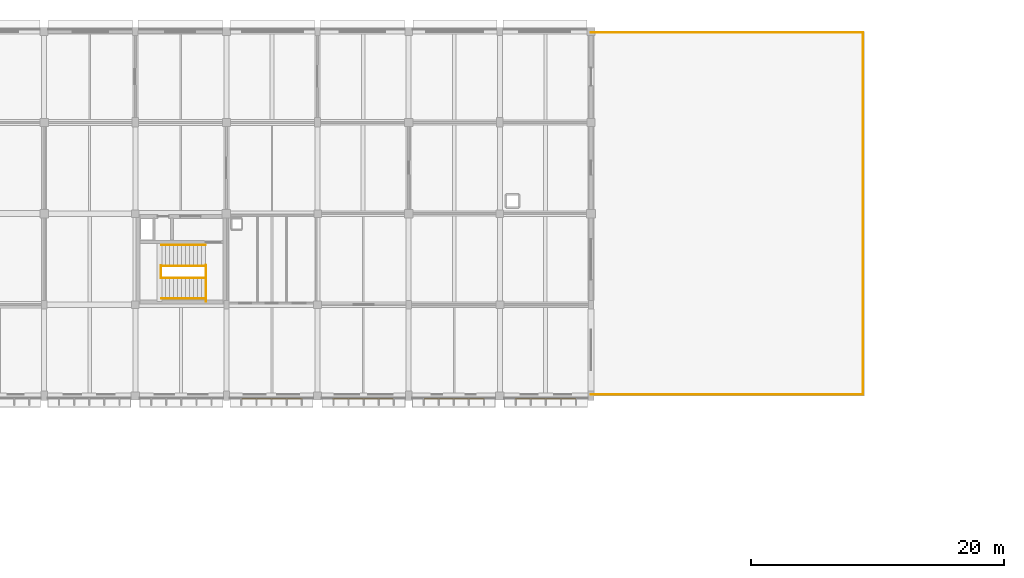
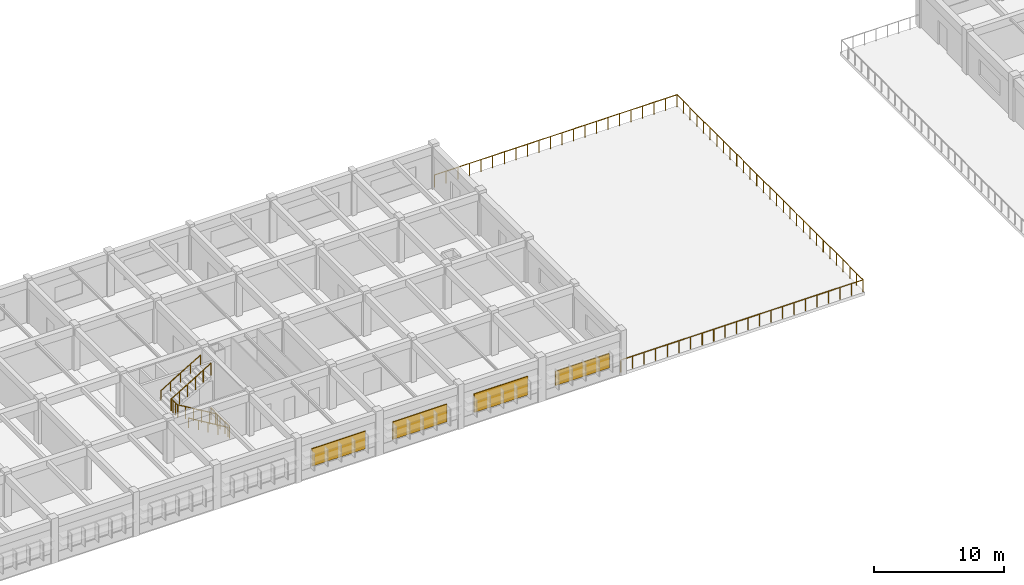
# One storey, part 37 of 38: 16 railings, 4 shading devices.
"""IFC4 building model written with IfcOpenShell, lengths in metres."""

from ifc_helpers import new_model, si_unit, direction, frame, origin, origin_2d, place, context, subcontext, project, spatial, rectangle, circle, extrude, material, layer, layer_set, type_object, element, save


model = new_model("IFC4")

# Units and contexts
model_context = context("Model", 3, precision=1e-05, world=origin(), true_north=direction((0.0, 1.0)))
body_context = subcontext(model_context, "Body", "Model", "MODEL_VIEW")
ifc_project = project(units=[si_unit("LENGTHUNIT", "METRE"), si_unit("AREAUNIT", "SQUARE_METRE"), si_unit("VOLUMEUNIT", "CUBIC_METRE"), si_unit("PLANEANGLEUNIT", "RADIAN"), si_unit("MASSUNIT", "GRAM", prefix="KILO")], contexts=[model_context])

# Site, building, storey
site_placement = place(None, origin())
site = spatial("IfcSite", under=ifc_project, at=site_placement, CompositionType="ELEMENT")
building_placement = place(site_placement, origin())
building = spatial("IfcBuilding", under=site, at=building_placement, Name="Thalmaran Polytechnic", CompositionType="ELEMENT")
storey_placement = place(building_placement, frame((0.0, 0.0, 18.60009765625)))
storey = spatial("IfcBuildingStorey", under=building, at=storey_placement, Name="L04", CompositionType="ELEMENT", Elevation=18.60009765625)

# Railings
ifc_material_1 = material(Name="Stainless steel 316 and laminated glass", Category="steel")
railing_type_1 = type_object("IfcRailingType", Name="RL-BL01", PredefinedType="BALUSTRADE", material=ifc_material_1)
railing_1_placement = place(storey_placement, frame((93.610107421875, 122.300048828125, 0.0)))
element("IfcRailing", 1, at=railing_1_placement, inside=storey, type_object=railing_type_1, Name="Terrace Balustrade Guard L04-1-1", PredefinedType="BALUSTRADE", context=body_context, shape_type="SweptSolid", body=[
    extrude(circle(Radius=0.02392578125, at=origin_2d()), frame((0.0, 0.0, 1.1259765625), z_axis=(1.0, 0.0, 0.0), x_axis=(0.0, 1.0, 0.0)), (0.0, 0.0, 1.0), 7.22314453125),
    extrude(circle(Radius=0.02099609375, at=origin_2d()), origin(), (0.0, 0.0, 1.0), 1.101806640625),
    extrude(circle(Radius=0.02099609375, at=origin_2d()), frame((1.031982421875, 0.0, 0.0)), (0.0, 0.0, 1.0), 1.101806640625),
    extrude(circle(Radius=0.02099609375, at=origin_2d()), frame((2.063720703125, 0.0, 0.0)), (0.0, 0.0, 1.0), 1.101806640625),
    extrude(circle(Radius=0.02099609375, at=origin_2d()), frame((3.095703125, 0.0, 0.0)), (0.0, 0.0, 1.0), 1.101806640625),
    extrude(circle(Radius=0.02099609375, at=origin_2d()), frame((4.12744140625, 0.0, 0.0)), (0.0, 0.0, 1.0), 1.101806640625),
    extrude(circle(Radius=0.02099609375, at=origin_2d()), frame((5.159423828125, 0.0, 0.0)), (0.0, 0.0, 1.0), 1.101806640625),
    extrude(circle(Radius=0.02099609375, at=origin_2d()), frame((6.191162109375, 0.0, 0.0)), (0.0, 0.0, 1.0), 1.101806640625),
    extrude(circle(Radius=0.02099609375, at=origin_2d()), frame((7.22314453125, 0.0, 0.0)), (0.0, 0.0, 1.0), 1.101806640625),
])
railing_2_placement = place(storey_placement, frame((100.833251953125, 122.300048828125, 0.0)))
element("IfcRailing", 2, at=railing_2_placement, inside=storey, type_object=railing_type_1, Name="Terrace Balustrade Guard L04-1-2", PredefinedType="BALUSTRADE", context=body_context, shape_type="SweptSolid", body=[
    extrude(circle(Radius=0.02392578125, at=origin_2d()), frame((0.0, 0.0, 1.1259765625), z_axis=(1.0, 0.0, 0.0), x_axis=(0.0, 1.0, 0.0)), (0.0, 0.0, 1.0), 7.13330078125),
    extrude(circle(Radius=0.02099609375, at=origin_2d()), origin(), (0.0, 0.0, 1.0), 1.101806640625),
    extrude(circle(Radius=0.02099609375, at=origin_2d()), frame((1.01904296875, 0.0, 0.0)), (0.0, 0.0, 1.0), 1.101806640625),
    extrude(circle(Radius=0.02099609375, at=origin_2d()), frame((2.0380859375, 0.0, 0.0)), (0.0, 0.0, 1.0), 1.101806640625),
    extrude(circle(Radius=0.02099609375, at=origin_2d()), frame((3.05712890625, 0.0, 0.0)), (0.0, 0.0, 1.0), 1.101806640625),
    extrude(circle(Radius=0.02099609375, at=origin_2d()), frame((4.076171875, 0.0, 0.0)), (0.0, 0.0, 1.0), 1.101806640625),
    extrude(circle(Radius=0.02099609375, at=origin_2d()), frame((5.09521484375, 0.0, 0.0)), (0.0, 0.0, 1.0), 1.101806640625),
    extrude(circle(Radius=0.02099609375, at=origin_2d()), frame((6.1142578125, 0.0, 0.0)), (0.0, 0.0, 1.0), 1.101806640625),
    extrude(circle(Radius=0.02099609375, at=origin_2d()), frame((7.13330078125, 0.0, 0.0)), (0.0, 0.0, 1.0), 1.101806640625),
])
railing_3_placement = place(storey_placement, frame((107.966552734375, 122.300048828125, 0.0)))
element("IfcRailing", 3, at=railing_3_placement, inside=storey, type_object=railing_type_1, Name="Terrace Balustrade Guard L04-1-3", PredefinedType="BALUSTRADE", context=body_context, shape_type="SweptSolid", body=[
    extrude(circle(Radius=0.02392578125, at=origin_2d()), frame((0.0, 0.0, 1.1259765625), z_axis=(1.0, 0.0, 0.0), x_axis=(0.0, 1.0, 0.0)), (0.0, 0.0, 1.0), 7.133544921875),
    extrude(circle(Radius=0.02099609375, at=origin_2d()), origin(), (0.0, 0.0, 1.0), 1.101806640625),
    extrude(circle(Radius=0.02099609375, at=origin_2d()), frame((1.01904296875, 0.0, 0.0)), (0.0, 0.0, 1.0), 1.101806640625),
    extrude(circle(Radius=0.02099609375, at=origin_2d()), frame((2.0380859375, 0.0, 0.0)), (0.0, 0.0, 1.0), 1.101806640625),
    extrude(circle(Radius=0.02099609375, at=origin_2d()), frame((3.05712890625, 0.0, 0.0)), (0.0, 0.0, 1.0), 1.101806640625),
    extrude(circle(Radius=0.02099609375, at=origin_2d()), frame((4.076416015625, 0.0, 0.0)), (0.0, 0.0, 1.0), 1.101806640625),
    extrude(circle(Radius=0.02099609375, at=origin_2d()), frame((5.095458984375, 0.0, 0.0)), (0.0, 0.0, 1.0), 1.101806640625),
    extrude(circle(Radius=0.02099609375, at=origin_2d()), frame((6.114501953125, 0.0, 0.0)), (0.0, 0.0, 1.0), 1.101806640625),
    extrude(circle(Radius=0.02099609375, at=origin_2d()), frame((7.133544921875, 0.0, 0.0)), (0.0, 0.0, 1.0), 1.101806640625),
])
railing_4_placement = place(storey_placement, frame((115.10009765625, 122.300048828125, 0.0)))
element("IfcRailing", 4, at=railing_4_placement, inside=storey, type_object=railing_type_1, Name="Terrace Balustrade Guard L04-1-4", PredefinedType="BALUSTRADE", context=body_context, shape_type="SweptSolid", body=[
    extrude(circle(Radius=0.02392578125, at=origin_2d()), frame((0.0, 0.0, 1.1259765625), z_axis=(0.0, -1.0, 0.0), x_axis=(1.0, 0.0, 0.0)), (0.0, 0.0, 1.0), 7.150146484375),
    extrude(circle(Radius=0.02099609375, at=origin_2d()), origin(), (0.0, 0.0, 1.0), 1.101806640625),
    extrude(circle(Radius=0.02099609375, at=origin_2d()), frame((0.0, -1.021484375, 0.0)), (0.0, 0.0, 1.0), 1.101806640625),
    extrude(circle(Radius=0.02099609375, at=origin_2d()), frame((0.0, -2.04296875, 0.0)), (0.0, 0.0, 1.0), 1.101806640625),
    extrude(circle(Radius=0.02099609375, at=origin_2d()), frame((0.0, -3.064453125, 0.0)), (0.0, 0.0, 1.0), 1.101806640625),
    extrude(circle(Radius=0.02099609375, at=origin_2d()), frame((0.0, -4.085693359375, 0.0)), (0.0, 0.0, 1.0), 1.101806640625),
    extrude(circle(Radius=0.02099609375, at=origin_2d()), frame((0.0, -5.107177734375, 0.0)), (0.0, 0.0, 1.0), 1.101806640625),
    extrude(circle(Radius=0.02099609375, at=origin_2d()), frame((0.0, -6.128662109375, 0.0)), (0.0, 0.0, 1.0), 1.101806640625),
    extrude(circle(Radius=0.02099609375, at=origin_2d()), frame((0.0, -7.150146484375, 0.0)), (0.0, 0.0, 1.0), 1.101806640625),
])
for number, where, name in (
    (5, (115.10009765625, 115.14990234375, 0.0), "Terrace Balustrade Guard L04-1-5"),
    (6, (115.10009765625, 108.0, 0.0), "Terrace Balustrade Guard L04-1-6"),
):
    element("IfcRailing", number, at=place(storey_placement, frame(where)), inside=storey, type_object=railing_type_1, Name=name, PredefinedType="BALUSTRADE", context=body_context, shape_type="SweptSolid", body=[
        extrude(circle(Radius=0.02392578125, at=origin_2d()), frame((0.0, 0.0, 1.1259765625), z_axis=(0.0, -1.0, 0.0), x_axis=(1.0, 0.0, 0.0)), (0.0, 0.0, 1.0), 7.14990234375),
        extrude(circle(Radius=0.02099609375, at=origin_2d()), origin(), (0.0, 0.0, 1.0), 1.101806640625),
        extrude(circle(Radius=0.02099609375, at=origin_2d()), frame((0.0, -1.021484375, 0.0)), (0.0, 0.0, 1.0), 1.101806640625),
        extrude(circle(Radius=0.02099609375, at=origin_2d()), frame((0.0, -2.042724609375, 0.0)), (0.0, 0.0, 1.0), 1.101806640625),
        extrude(circle(Radius=0.02099609375, at=origin_2d()), frame((0.0, -3.064208984375, 0.0)), (0.0, 0.0, 1.0), 1.101806640625),
        extrude(circle(Radius=0.02099609375, at=origin_2d()), frame((0.0, -4.085693359375, 0.0)), (0.0, 0.0, 1.0), 1.101806640625),
        extrude(circle(Radius=0.02099609375, at=origin_2d()), frame((0.0, -5.107177734375, 0.0)), (0.0, 0.0, 1.0), 1.101806640625),
        extrude(circle(Radius=0.02099609375, at=origin_2d()), frame((0.0, -6.12841796875, 0.0)), (0.0, 0.0, 1.0), 1.101806640625),
        extrude(circle(Radius=0.02099609375, at=origin_2d()), frame((0.0, -7.14990234375, 0.0)), (0.0, 0.0, 1.0), 1.101806640625),
    ])
railing_5_placement = place(storey_placement, frame((115.10009765625, 100.85009765625, 0.0)))
element("IfcRailing", 7, at=railing_5_placement, inside=storey, type_object=railing_type_1, Name="Terrace Balustrade Guard L04-1-7", PredefinedType="BALUSTRADE", context=body_context, shape_type="SweptSolid", body=[
    extrude(circle(Radius=0.02392578125, at=origin_2d()), frame((0.0, 0.0, 1.1259765625), z_axis=(0.0, -1.0, 0.0), x_axis=(1.0, 0.0, 0.0)), (0.0, 0.0, 1.0), 7.150146484375),
    extrude(circle(Radius=0.02099609375, at=origin_2d()), origin(), (0.0, 0.0, 1.0), 1.101806640625),
    extrude(circle(Radius=0.02099609375, at=origin_2d()), frame((0.0, -1.021484375, 0.0)), (0.0, 0.0, 1.0), 1.101806640625),
    extrude(circle(Radius=0.02099609375, at=origin_2d()), frame((0.0, -2.04296875, 0.0)), (0.0, 0.0, 1.0), 1.101806640625),
    extrude(circle(Radius=0.02099609375, at=origin_2d()), frame((0.0, -3.064453125, 0.0)), (0.0, 0.0, 1.0), 1.101806640625),
    extrude(circle(Radius=0.02099609375, at=origin_2d()), frame((0.0, -4.085693359375, 0.0)), (0.0, 0.0, 1.0), 1.101806640625),
    extrude(circle(Radius=0.02099609375, at=origin_2d()), frame((0.0, -5.107177734375, 0.0)), (0.0, 0.0, 1.0), 1.101806640625),
    extrude(circle(Radius=0.02099609375, at=origin_2d()), frame((0.0, -6.128662109375, 0.0)), (0.0, 0.0, 1.0), 1.101806640625),
    extrude(circle(Radius=0.02099609375, at=origin_2d()), frame((0.0, -7.150146484375, 0.0)), (0.0, 0.0, 1.0), 1.101806640625),
])
railing_6_placement = place(storey_placement, frame((115.10009765625, 93.699951171875, 0.0)))
element("IfcRailing", 8, at=railing_6_placement, inside=storey, type_object=railing_type_1, Name="Terrace Balustrade Guard L04-1-8", PredefinedType="BALUSTRADE", context=body_context, shape_type="SweptSolid", body=[
    extrude(circle(Radius=0.02392578125, at=origin_2d()), frame((0.0, 0.0, 1.1259765625), z_axis=(-1.0, 0.0, 0.0), x_axis=(0.0, -1.0, 0.0)), (0.0, 0.0, 1.0), 7.133544921875),
    extrude(circle(Radius=0.02099609375, at=origin_2d()), origin(), (0.0, 0.0, 1.0), 1.101806640625),
    extrude(circle(Radius=0.02099609375, at=origin_2d()), frame((-1.01904296875, 0.0, 0.0)), (0.0, 0.0, 1.0), 1.101806640625),
    extrude(circle(Radius=0.02099609375, at=origin_2d()), frame((-2.0380859375, 0.0, 0.0)), (0.0, 0.0, 1.0), 1.101806640625),
    extrude(circle(Radius=0.02099609375, at=origin_2d()), frame((-3.05712890625, 0.0, 0.0)), (0.0, 0.0, 1.0), 1.101806640625),
    extrude(circle(Radius=0.02099609375, at=origin_2d()), frame((-4.076416015625, 0.0, 0.0)), (0.0, 0.0, 1.0), 1.101806640625),
    extrude(circle(Radius=0.02099609375, at=origin_2d()), frame((-5.095458984375, 0.0, 0.0)), (0.0, 0.0, 1.0), 1.101806640625),
    extrude(circle(Radius=0.02099609375, at=origin_2d()), frame((-6.114501953125, 0.0, 0.0)), (0.0, 0.0, 1.0), 1.101806640625),
    extrude(circle(Radius=0.02099609375, at=origin_2d()), frame((-7.133544921875, 0.0, 0.0)), (0.0, 0.0, 1.0), 1.101806640625),
])
railing_7_placement = place(storey_placement, frame((107.966552734375, 93.699951171875, 0.0)))
element("IfcRailing", 9, at=railing_7_placement, inside=storey, type_object=railing_type_1, Name="Terrace Balustrade Guard L04-1-9", PredefinedType="BALUSTRADE", context=body_context, shape_type="SweptSolid", body=[
    extrude(circle(Radius=0.02392578125, at=origin_2d()), frame((0.0, 0.0, 1.1259765625), z_axis=(-1.0, 0.0, 0.0), x_axis=(0.0, -1.0, 0.0)), (0.0, 0.0, 1.0), 7.13330078125),
    extrude(circle(Radius=0.02099609375, at=origin_2d()), origin(), (0.0, 0.0, 1.0), 1.101806640625),
    extrude(circle(Radius=0.02099609375, at=origin_2d()), frame((-1.01904296875, 0.0, 0.0)), (0.0, 0.0, 1.0), 1.101806640625),
    extrude(circle(Radius=0.02099609375, at=origin_2d()), frame((-2.0380859375, 0.0, 0.0)), (0.0, 0.0, 1.0), 1.101806640625),
    extrude(circle(Radius=0.02099609375, at=origin_2d()), frame((-3.05712890625, 0.0, 0.0)), (0.0, 0.0, 1.0), 1.101806640625),
    extrude(circle(Radius=0.02099609375, at=origin_2d()), frame((-4.076171875, 0.0, 0.0)), (0.0, 0.0, 1.0), 1.101806640625),
    extrude(circle(Radius=0.02099609375, at=origin_2d()), frame((-5.09521484375, 0.0, 0.0)), (0.0, 0.0, 1.0), 1.101806640625),
    extrude(circle(Radius=0.02099609375, at=origin_2d()), frame((-6.1142578125, 0.0, 0.0)), (0.0, 0.0, 1.0), 1.101806640625),
    extrude(circle(Radius=0.02099609375, at=origin_2d()), frame((-7.13330078125, 0.0, 0.0)), (0.0, 0.0, 1.0), 1.101806640625),
])
railing_8_placement = place(storey_placement, frame((100.833251953125, 93.699951171875, 0.0)))
element("IfcRailing", 10, at=railing_8_placement, inside=storey, type_object=railing_type_1, Name="Terrace Balustrade Guard L04-1-10", PredefinedType="BALUSTRADE", context=body_context, shape_type="SweptSolid", body=[
    extrude(circle(Radius=0.02392578125, at=origin_2d()), frame((0.0, 0.0, 1.1259765625), z_axis=(-1.0, 0.0, 0.0), x_axis=(0.0, -1.0, 0.0)), (0.0, 0.0, 1.0), 7.22314453125),
    extrude(circle(Radius=0.02099609375, at=origin_2d()), origin(), (0.0, 0.0, 1.0), 1.101806640625),
    extrude(circle(Radius=0.02099609375, at=origin_2d()), frame((-1.031982421875, 0.0, 0.0)), (0.0, 0.0, 1.0), 1.101806640625),
    extrude(circle(Radius=0.02099609375, at=origin_2d()), frame((-2.063720703125, 0.0, 0.0)), (0.0, 0.0, 1.0), 1.101806640625),
    extrude(circle(Radius=0.02099609375, at=origin_2d()), frame((-3.095703125, 0.0, 0.0)), (0.0, 0.0, 1.0), 1.101806640625),
    extrude(circle(Radius=0.02099609375, at=origin_2d()), frame((-4.12744140625, 0.0, 0.0)), (0.0, 0.0, 1.0), 1.101806640625),
    extrude(circle(Radius=0.02099609375, at=origin_2d()), frame((-5.159423828125, 0.0, 0.0)), (0.0, 0.0, 1.0), 1.101806640625),
    extrude(circle(Radius=0.02099609375, at=origin_2d()), frame((-6.191162109375, 0.0, 0.0)), (0.0, 0.0, 1.0), 1.101806640625),
    extrude(circle(Radius=0.02099609375, at=origin_2d()), frame((-7.22314453125, 0.0, 0.0)), (0.0, 0.0, 1.0), 1.101806640625),
])
ifc_material_2 = material(Name="Stainless steel 316", Category="steel")
railing_type_2 = type_object("IfcRailingType", Name="RL-GR01", PredefinedType="GUARDRAIL", material=ifc_material_2)
railing_9_placement = place(storey_placement, frame((63.169921875, 101.050048828125, 0.0)))
element("IfcRailing", 11, at=railing_9_placement, inside=storey, type_object=railing_type_2, Name="ST6 L04 Landing Edge Guardrail", PredefinedType="GUARDRAIL", context=body_context, shape_type="SweptSolid", body=[
    extrude(circle(Radius=0.02392578125, at=origin_2d()), frame((0.0, 0.0, 1.1259765625), z_axis=(0.0, 1.0, 0.0), x_axis=(-1.0, 0.0, 0.0)), (0.0, 0.0, 1.0), 2.869873046875),
    extrude(circle(Radius=0.02099609375, at=origin_2d()), origin(), (0.0, 0.0, 1.0), 1.101806640625),
    extrude(circle(Radius=0.02099609375, at=origin_2d()), frame((0.0, 0.717529296875, 0.0)), (0.0, 0.0, 1.0), 1.101806640625),
    extrude(circle(Radius=0.02099609375, at=origin_2d()), frame((0.0, 1.43505859375, 0.0)), (0.0, 0.0, 1.0), 1.101806640625),
    extrude(circle(Radius=0.02099609375, at=origin_2d()), frame((0.0, 2.15234375, 0.0)), (0.0, 0.0, 1.0), 1.101806640625),
    extrude(circle(Radius=0.02099609375, at=origin_2d()), frame((0.0, 2.869873046875, 0.0)), (0.0, 0.0, 1.0), 1.101806640625),
])
railing_10_placement = place(storey_placement, frame((63.159912109375, 102.919921875, 0.0)))
element("IfcRailing", 12, at=railing_10_placement, inside=storey, type_object=railing_type_2, Name="ST6 L04 Lower Flight Guardrail", PredefinedType="GUARDRAIL", context=body_context, shape_type="SweptSolid", body=[
    extrude(circle(Radius=0.02392578125, at=origin_2d()), frame((0.0, 0.0, 1.1259765625), z_axis=(-0.857508758706, 0.0, 0.514469366185), x_axis=(0.0, -1.0, 0.0)), (0.0, 0.0, 1.0), 4.08154296875),
    extrude(circle(Radius=0.02099609375, at=origin_2d()), origin(), (0.0, 0.0, 1.0), 1.101806640625),
    extrude(circle(Radius=0.02099609375, at=origin_2d()), frame((-0.699951171875, 0.0, 0.419921875)), (0.0, 0.0, 1.0), 1.101806640625),
    extrude(circle(Radius=0.02099609375, at=origin_2d()), frame((-1.39990234375, 0.0, 0.83984375)), (0.0, 0.0, 1.0), 1.101806640625),
    extrude(circle(Radius=0.02099609375, at=origin_2d()), frame((-2.10009765625, 0.0, 1.260009765625)), (0.0, 0.0, 1.0), 1.101806640625),
    extrude(circle(Radius=0.02099609375, at=origin_2d()), frame((-2.800048828125, 0.0, 1.679931640625)), (0.0, 0.0, 1.0), 1.101806640625),
    extrude(circle(Radius=0.02099609375, at=origin_2d()), frame((-3.5, 0.0, 2.099853515625)), (0.0, 0.0, 1.0), 1.101806640625),
])
railing_11_placement = place(storey_placement, frame((59.6201171875, 102.89990234375, 2.099853515625)))
element("IfcRailing", 13, at=railing_11_placement, inside=storey, type_object=railing_type_2, Name="ST6 L04 Half-Landing Well Guardrail", PredefinedType="GUARDRAIL", context=body_context, shape_type="SweptSolid", body=[
    extrude(circle(Radius=0.02392578125, at=origin_2d()), frame((0.0, 0.0, 1.1259765625), z_axis=(0.0, 1.0, 0.0), x_axis=(-1.0, 0.0, 0.0)), (0.0, 0.0, 1.0), 0.97998046875),
    extrude(circle(Radius=0.02099609375, at=origin_2d()), origin(), (0.0, 0.0, 1.0), 1.101806640625),
    extrude(circle(Radius=0.02099609375, at=origin_2d()), frame((0.0, 0.32666015625, 0.0)), (0.0, 0.0, 1.0), 1.101806640625),
    extrude(circle(Radius=0.02099609375, at=origin_2d()), frame((0.0, 0.6533203125, 0.0)), (0.0, 0.0, 1.0), 1.101806640625),
    extrude(circle(Radius=0.02099609375, at=origin_2d()), frame((0.0, 0.97998046875, 0.0)), (0.0, 0.0, 1.0), 1.101806640625),
])
railing_12_placement = place(storey_placement, frame((59.659912109375, 103.860107421875, 2.099853515625)))
element("IfcRailing", 14, at=railing_12_placement, inside=storey, type_object=railing_type_2, Name="ST6 L04 Upper Flight Guardrail", PredefinedType="GUARDRAIL", context=body_context, shape_type="SweptSolid", body=[
    extrude(circle(Radius=0.02392578125, at=origin_2d()), frame((0.0, 0.0, 1.1259765625), z_axis=(0.857482370257, 0.0, 0.514513347444), x_axis=(0.0, 1.0, 0.0)), (0.0, 0.0, 1.0), 4.081787109375),
    extrude(circle(Radius=0.02099609375, at=origin_2d()), origin(), (0.0, 0.0, 1.0), 1.101806640625),
    extrude(circle(Radius=0.02099609375, at=origin_2d()), frame((0.699951171875, 0.0, 0.419921875)), (0.0, 0.0, 1.0), 1.101806640625),
    extrude(circle(Radius=0.02099609375, at=origin_2d()), frame((1.39990234375, 0.0, 0.840087890625)), (0.0, 0.0, 1.0), 1.101806640625),
    extrude(circle(Radius=0.02099609375, at=origin_2d()), frame((2.10009765625, 0.0, 1.260009765625)), (0.0, 0.0, 1.0), 1.101806640625),
    extrude(circle(Radius=0.02099609375, at=origin_2d()), frame((2.800048828125, 0.0, 1.68017578125)), (0.0, 0.0, 1.0), 1.101806640625),
    extrude(circle(Radius=0.02099609375, at=origin_2d()), frame((3.5, 0.0, 2.10009765625)), (0.0, 0.0, 1.0), 1.101806640625),
])
railing_type_3 = type_object("IfcRailingType", Name="RL-HR01", PredefinedType="HANDRAIL", material=ifc_material_2)
railing_13_placement = place(storey_placement, frame((63.159912109375, 101.280029296875, 0.0)))
element("IfcRailing", 15, at=railing_13_placement, inside=storey, type_object=railing_type_3, Name="ST6 L04 Flight 1 Handrail", PredefinedType="HANDRAIL", context=body_context, shape_type="SweptSolid", body=[
    extrude(circle(Radius=0.02392578125, at=origin_2d()), frame((0.0, 0.0, 0.8759765625), z_axis=(-0.857508758706, 0.0, 0.514469366185), x_axis=(0.0, -1.0, 0.0)), (0.0, 0.0, 1.0), 4.08154296875),
    extrude(circle(Radius=0.02099609375, at=origin_2d()), origin(), (0.0, 0.0, 1.0), 0.851806640625),
    extrude(circle(Radius=0.02099609375, at=origin_2d()), frame((-0.875, 0.0, 0.52490234375)), (0.0, 0.0, 1.0), 0.851806640625),
    extrude(circle(Radius=0.02099609375, at=origin_2d()), frame((-1.75, 0.0, 1.0498046875)), (0.0, 0.0, 1.0), 0.851806640625),
    extrude(circle(Radius=0.02099609375, at=origin_2d()), frame((-2.625, 0.0, 1.574951171875)), (0.0, 0.0, 1.0), 0.851806640625),
    extrude(circle(Radius=0.02099609375, at=origin_2d()), frame((-3.5, 0.0, 2.099853515625)), (0.0, 0.0, 1.0), 0.851806640625),
])
railing_14_placement = place(storey_placement, frame((59.659912109375, 105.52001953125, 2.099853515625)))
element("IfcRailing", 16, at=railing_14_placement, inside=storey, type_object=railing_type_3, Name="ST6 L04 Flight 2 Handrail", PredefinedType="HANDRAIL", context=body_context, shape_type="SweptSolid", body=[
    extrude(circle(Radius=0.02392578125, at=origin_2d()), frame((0.0, 0.0, 0.8759765625), z_axis=(0.857482370257, 0.0, 0.514513347444), x_axis=(0.0, 1.0, 0.0)), (0.0, 0.0, 1.0), 4.081787109375),
    extrude(circle(Radius=0.02099609375, at=origin_2d()), origin(), (0.0, 0.0, 1.0), 0.851806640625),
    extrude(circle(Radius=0.02099609375, at=origin_2d()), frame((0.875, 0.0, 0.52490234375)), (0.0, 0.0, 1.0), 0.851806640625),
    extrude(circle(Radius=0.02099609375, at=origin_2d()), frame((1.75, 0.0, 1.050048828125)), (0.0, 0.0, 1.0), 0.851806640625),
    extrude(circle(Radius=0.02099609375, at=origin_2d()), frame((2.625, 0.0, 1.5751953125)), (0.0, 0.0, 1.0), 0.851806640625),
    extrude(circle(Radius=0.02099609375, at=origin_2d()), frame((3.5, 0.0, 2.10009765625)), (0.0, 0.0, 1.0), 0.851806640625),
])

# Shading devices
ifc_material_3 = material(Name="Perforated anodised-bronze aluminium screen", Category="aluminium")
ifc_layer = layer(ifc_material_3, 0.080078125, Name="Perforated anodised-bronze aluminium screen")
ifc_layer_set = layer_set([ifc_layer], Name="Perforated anodised-bronze aluminium screen")
shading_device_type = type_object("IfcShadingDeviceType", Name="SH-JL01", PredefinedType="JALOUSIE", material=ifc_layer_set)
shading_device_1_placement = place(storey_placement, frame((90.0, 93.3798828125, 1.02490234375), z_axis=(0.0, 0.0, 1.0), x_axis=(-1.0, 0.0, 0.0)))
element("IfcShadingDevice", 17, at=shading_device_1_placement, inside=storey, type_object=shading_device_type, Name="Anodised-Bronze Mashrabiya Solar Screen L04-069", PredefinedType="JALOUSIE", context=body_context, shape_type="SweptSolid", body=[
    extrude(rectangle(XDim=4.77001953125, YDim=0.080078125, at=origin_2d()), origin(), (0.0, 0.0, 1.0), 1.35009765625),
])
shading_device_2_placement = place(storey_placement, frame((82.800048828125, 93.3798828125, 1.02490234375), z_axis=(0.0, 0.0, 1.0), x_axis=(-1.0, 0.0, 0.0)))
element("IfcShadingDevice", 18, at=shading_device_2_placement, inside=storey, type_object=shading_device_type, Name="Anodised-Bronze Mashrabiya Solar Screen L04-070", PredefinedType="JALOUSIE", context=body_context, shape_type="SweptSolid", body=[
    extrude(rectangle(XDim=4.77001953125, YDim=0.080078125, at=origin_2d()), origin(), (0.0, 0.0, 1.0), 1.75),
])
for number, where, z_axis, x_axis, name in (
    (19, (75.60009765625, 93.3798828125, 1.02490234375), (0.0, 0.0, 1.0), (-1.0, 0.0, 0.0), "Anodised-Bronze Mashrabiya Solar Screen L04-071"),
    (20, (68.39990234375, 93.3798828125, 1.02490234375), (0.0, 0.0, 1.0), (-1.0, 0.0, 0.0), "Anodised-Bronze Mashrabiya Solar Screen L04-072"),
):
    element("IfcShadingDevice", number, at=place(storey_placement, frame(where, z_axis=z_axis, x_axis=x_axis)), inside=storey, type_object=shading_device_type, Name=name, PredefinedType="JALOUSIE", context=body_context, shape_type="SweptSolid", body=[
        extrude(rectangle(XDim=4.77001953125, YDim=0.080078125, at=origin_2d()), origin(), (0.0, 0.0, 1.0), 1.64990234375),
    ])

save(model, "model.ifc")
